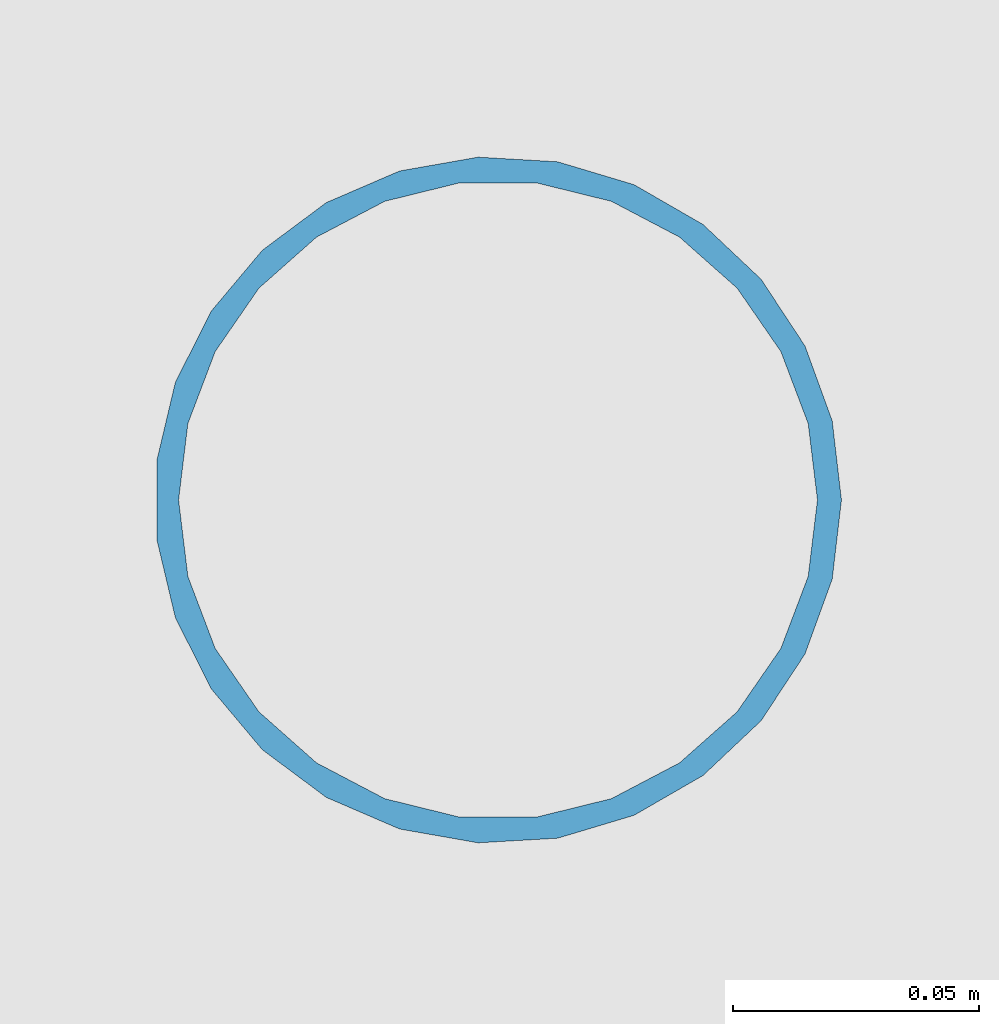
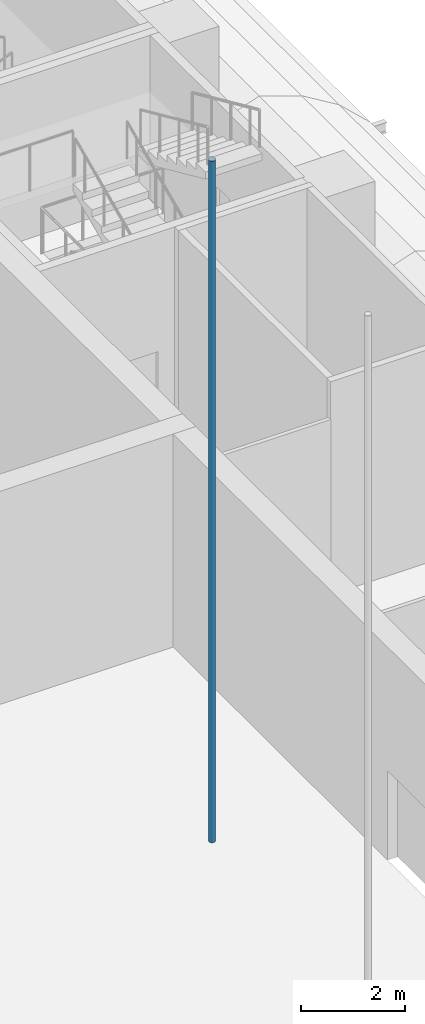
# One storey, part 14 of 80: 1 member.
"""IFC4 building model written with IfcOpenShell, lengths in metres."""

from ifc_helpers import new_model, si_unit, direction, frame, origin, origin_2d, place, context, subcontext, project, spatial, hollow_circle, extrude, material, material_profile, profile_set, type_object, element, save


model = new_model("IFC4")

# Units and contexts
model_context = context("Model", 3, precision=1e-05, world=origin(), true_north=direction((0.0, 1.0)))
body_context = subcontext(model_context, "Body", "Model", "MODEL_VIEW")
ifc_project = project(units=[si_unit("LENGTHUNIT", "METRE"), si_unit("AREAUNIT", "SQUARE_METRE"), si_unit("VOLUMEUNIT", "CUBIC_METRE"), si_unit("PLANEANGLEUNIT", "RADIAN"), si_unit("MASSUNIT", "GRAM", prefix="KILO")], contexts=[model_context])

# Site, building, storey
site_placement = place(None, origin())
site = spatial("IfcSite", under=ifc_project, at=site_placement, CompositionType="ELEMENT")
building_placement = place(site_placement, origin())
building = spatial("IfcBuilding", under=site, at=building_placement, Name="Saffron Lane Theatres", CompositionType="ELEMENT")
storey_placement = place(building_placement, frame((0.0, 0.0, 7.0)))
storey = spatial("IfcBuildingStorey", under=building, at=storey_placement, Name="L01", CompositionType="ELEMENT", Elevation=7.0)

# Member
ifc_material = material(Name="Steel Grade 350", Category="steel")
ifc_material_profile = material_profile(ifc_material, hollow_circle(Radius=0.06982421875, WallThickness=0.0048828125, at=origin_2d()))
ifc_profile_set = profile_set([ifc_material_profile], Name="Steel Grade 350")
member_type = type_object("IfcMemberType", Name="ST-GUIDE POST 139.7x5.0 CHS", PredefinedType="POST", material=ifc_profile_set)
member_placement = place(storey_placement, frame((44.89990234375, 48.0, 0.0), z_axis=(0.0, 0.0, 1.0), x_axis=(1.0, 0.0, 0.0)))
element("IfcMember", 1, at=member_placement, inside=storey, type_object=member_type, Name="GR4", PredefinedType="POST", context=body_context, shape_type="SweptSolid", body=[
    extrude(hollow_circle(Radius=0.06982421875, WallThickness=0.0048828125, at=origin_2d()), origin(), (0.0, 0.0, 1.0), 16.0),
])

save(model, "model.ifc")
